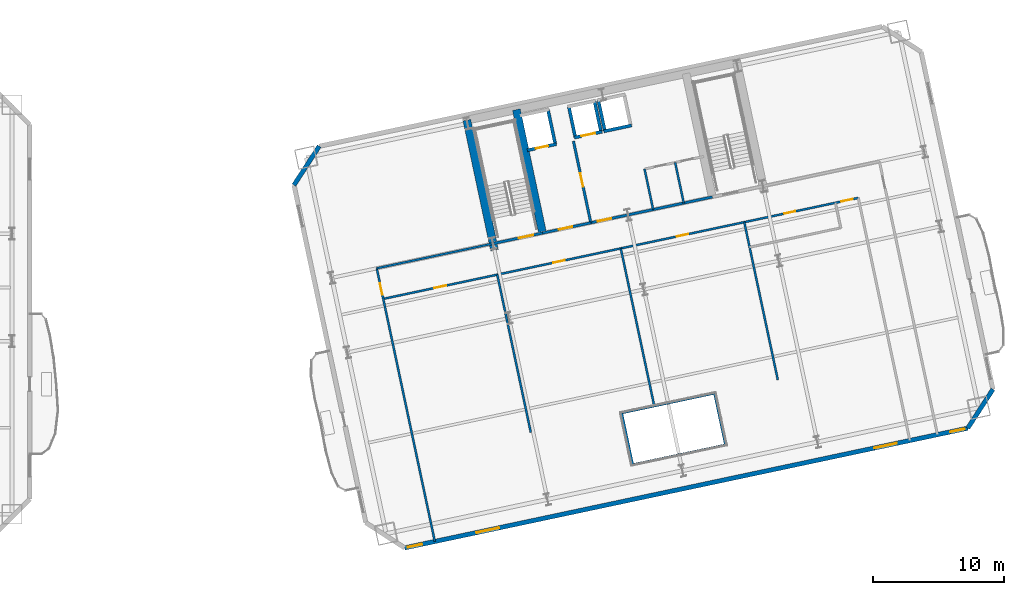
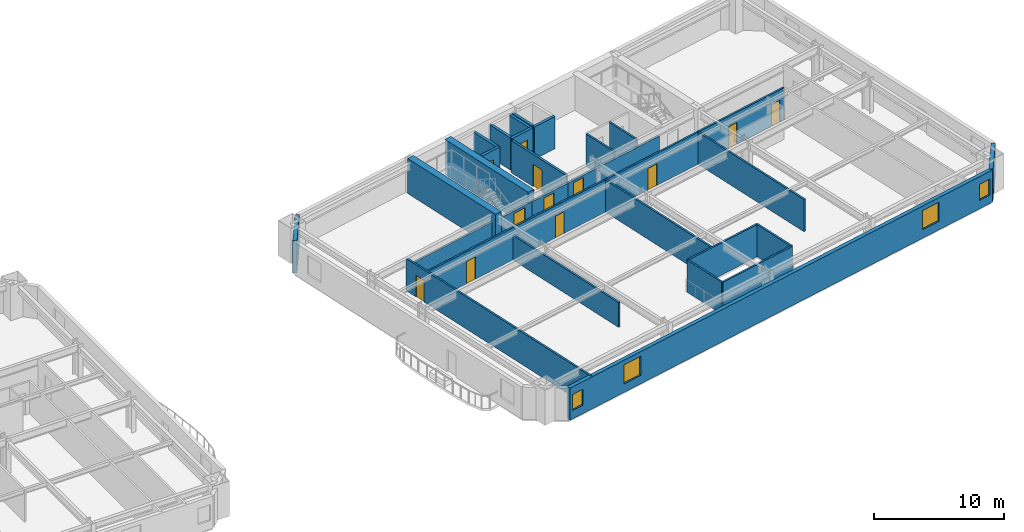
# One storey, part 8 of 15: 28 walls, 12 doors, 4 windows, 16 openings.
"""IFC4 building model written with IfcOpenShell, lengths in metres."""

from ifc_helpers import new_model, si_unit, direction, frame, frame_2d, origin, place, context, subcontext, project, spatial, rectangle, extrude, material, layer, layer_set, type_object, element, fill, save


model = new_model("IFC4")

# Units and contexts
model_context = context("Model", 3, precision=1e-05, world=origin(), true_north=direction((0.0, 1.0)))
body_context = subcontext(model_context, "Body", "Model", "MODEL_VIEW")
ifc_project = project(units=[si_unit("LENGTHUNIT", "METRE"), si_unit("AREAUNIT", "SQUARE_METRE"), si_unit("VOLUMEUNIT", "CUBIC_METRE"), si_unit("PLANEANGLEUNIT", "RADIAN"), si_unit("MASSUNIT", "GRAM", prefix="KILO")], contexts=[model_context])

# Site, building, storey
site_placement = place(None, origin())
site = spatial("IfcSite", under=ifc_project, at=site_placement, CompositionType="ELEMENT")
building_placement = place(site_placement, origin())
building = spatial("IfcBuilding", under=site, at=building_placement, Name="Haevon Station Towers", CompositionType="ELEMENT")
storey_placement = place(building_placement, frame((0.0, 0.0, 63.60009765625)))
storey = spatial("IfcBuildingStorey", under=building, at=storey_placement, Name="L16", CompositionType="ELEMENT", Elevation=63.60009765625)

# Wall, opening, door
ifc_material_1 = material(Name="Gypsum board on steel stud", Category="steel")
ifc_layer_1 = layer(ifc_material_1, 0.199951171875)
ifc_layer_set_1 = layer_set([ifc_layer_1], Name="Gypsum board on steel stud")
wall_type_1 = type_object("IfcWallType", Name="WL-COR200", PredefinedType="PARTITIONING", material=ifc_layer_set_1)
wall_1_placement = place(storey_placement, frame((98.75244140625, 37.4423828125, 0.0), z_axis=(0.0, 0.0, 1.0), x_axis=(0.978143537786, 0.207930804564, 0.0)))
wall_1 = element("IfcWall", 1, at=wall_1_placement, inside=storey, type_object=wall_type_1, Name="WL-ST-ST3-L16", PredefinedType="PARTITIONING", context=body_context, shape_type="SweptSolid", body=[
    extrude(rectangle(XDim=3.85009765625, YDim=0.199951171875, at=frame_2d((1.925048828125, 0.0))), origin(), (0.0, 0.0, 1.0), 2.329833984375),
])
opening_1_placement = place(wall_1_placement, frame((2.0, 0.0, 0.0)))
opening_1 = element("IfcOpeningElement", 2, at=opening_1_placement, cuts=wall_1, Name="Opening DR-ST-ST3-L16", PredefinedType="OPENING", context=body_context, shape_type="SweptSolid", body=[
    extrude(rectangle(XDim=1.1201171875, YDim=2.10009765625, at=frame_2d((0.56005859375, 1.050048828125))), frame((0.0, 0.10986328125, 0.0), z_axis=(0.0, -1.0, 0.0), x_axis=(1.0, 0.0, 0.0)), (0.0, 0.0, 1.0), 0.219970703125),
])
ifc_material_2 = material(Name="Engineered oak timber", Category="wood")
door_type_1 = type_object("IfcDoorType", Name="DR-ST-1120", OperationType="NOTDEFINED", PredefinedType="DOOR", material=ifc_material_2)
door_1_placement = place(opening_1_placement, origin())
door_1 = element("IfcDoor", 3, at=door_1_placement, inside=storey, type_object=door_type_1, Name="L16 Escape Stair ST3 Fire Door", OperationType="SINGLE_SWING_RIGHT", OverallHeight=2.10009765625, OverallWidth=1.1201171875, PredefinedType="DOOR", context=body_context, shape_type="SweptSolid", body=[
    extrude(rectangle(XDim=1.1201171875, YDim=2.10009765625, at=frame_2d((0.56005859375, 1.050048828125))), frame((0.0, 0.02490234375, 0.0), z_axis=(0.0, -1.0, 0.0), x_axis=(1.0, 0.0, 0.0)), (0.0, 0.0, 1.0), 0.050048828125),
])
fill(opening_1, door_1)

wall_2_placement = place(storey_placement, frame((106.186279296875, 39.0224609375, 0.0), z_axis=(0.0, 0.0, 1.0), x_axis=(-0.207916691923, 0.978146537703, 0.0)))
wall_2 = element("IfcWall", 4, at=wall_2_placement, inside=storey, type_object=wall_type_1, Name="WL-T2FFL-L16-E", PredefinedType="PARTITIONING", context=body_context, shape_type="SweptSolid", body=[
    extrude(rectangle(XDim=6.35009765625, YDim=0.199951171875, at=frame_2d((3.175048828125, 0.0))), origin(), (0.0, 0.0, 1.0), 3.02978515625),
])
opening_2_placement = place(wall_2_placement, frame((2.800048828125, 0.0, 0.0)))
opening_2 = element("IfcOpeningElement", 5, at=opening_2_placement, cuts=wall_2, Name="Opening DR-T2FFL-L16-E", PredefinedType="OPENING", context=body_context, shape_type="SweptSolid", body=[
    extrude(rectangle(XDim=1.050048828125, YDim=2.10009765625, at=frame_2d((0.52490234375, 1.050048828125))), frame((0.0, 0.10986328125, 0.0), z_axis=(0.0, -1.0, 0.0), x_axis=(1.0, 0.0, 0.0)), (0.0, 0.0, 1.0), 0.219970703125),
])
door_type_2 = type_object("IfcDoorType", Name="DR-FD60-1050", OperationType="NOTDEFINED", PredefinedType="DOOR", material=ifc_material_2)
door_2_placement = place(opening_2_placement, origin())
door_2 = element("IfcDoor", 6, at=door_2_placement, inside=storey, type_object=door_type_2, Name="L16 Tower 2 Firefighting Lift Lobby Door E", OperationType="SINGLE_SWING_RIGHT", OverallHeight=2.10009765625, OverallWidth=1.050048828125, PredefinedType="DOOR", context=body_context, shape_type="SweptSolid", body=[
    extrude(rectangle(XDim=1.050048828125, YDim=2.10009765625, at=frame_2d((0.52490234375, 1.050048828125))), frame((0.0, 0.02490234375, 0.0), z_axis=(0.0, -1.0, 0.0), x_axis=(1.0, 0.0, 0.0)), (0.0, 0.0, 1.0), 0.050048828125),
])
fill(opening_2, door_2)

wall_3_placement = place(storey_placement, frame((102.518310546875, 38.242919921875, 0.0), z_axis=(0.0, 0.0, 1.0), x_axis=(0.978153555683, 0.20788367301, 0.0)))
wall_3 = element("IfcWall", 7, at=wall_3_placement, inside=storey, type_object=wall_type_1, Name="WL-T2FFL-L16-S", PredefinedType="PARTITIONING", context=body_context, shape_type="SweptSolid", body=[
    extrude(rectangle(XDim=3.75, YDim=0.199951171875, at=frame_2d((1.875, 0.0))), origin(), (0.0, 0.0, 1.0), 2.329833984375),
])
opening_3_placement = place(wall_3_placement, frame((1.25, 0.0, 0.0)))
opening_3 = element("IfcOpeningElement", 8, at=opening_3_placement, cuts=wall_3, Name="Opening DR-T2FFL-L16-S", PredefinedType="OPENING", context=body_context, shape_type="SweptSolid", body=[
    extrude(rectangle(XDim=1.050048828125, YDim=2.10009765625, at=frame_2d((0.52490234375, 1.050048828125))), frame((0.0, 0.10986328125, 0.0), z_axis=(0.0, -1.0, 0.0), x_axis=(1.0, 0.0, 0.0)), (0.0, 0.0, 1.0), 0.219970703125),
])
door_3_placement = place(opening_3_placement, origin())
door_3 = element("IfcDoor", 9, at=door_3_placement, inside=storey, type_object=door_type_2, Name="L16 Tower 2 Firefighting Lift Lobby Door S", OperationType="SINGLE_SWING_LEFT", OverallHeight=2.10009765625, OverallWidth=1.050048828125, PredefinedType="DOOR", context=body_context, shape_type="SweptSolid", body=[
    extrude(rectangle(XDim=1.050048828125, YDim=2.10009765625, at=frame_2d((0.52490234375, 1.050048828125))), frame((0.0, 0.02490234375, 0.0), z_axis=(0.0, -1.0, 0.0), x_axis=(1.0, 0.0, 0.0)), (0.0, 0.0, 1.0), 0.050048828125),
])
fill(opening_3, door_3)

wall_4_placement = place(storey_placement, frame((106.186279296875, 39.0224609375, 0.0), z_axis=(0.0, 0.0, 1.0), x_axis=(0.978145519981, 0.20792147975, 0.0)))
wall_4 = element("IfcWall", 10, at=wall_4_placement, inside=storey, type_object=wall_type_1, Name="WL-T2CLB-L16", PredefinedType="PARTITIONING", context=body_context, shape_type="SweptSolid", body=[
    extrude(rectangle(XDim=9.449951171875, YDim=0.199951171875, at=frame_2d((4.72509765625, 0.0))), origin(), (0.0, 0.0, 1.0), 2.329833984375),
])
opening_4_placement = place(wall_4_placement, frame((0.550048828125, 0.0, 0.0)))
opening_4 = element("IfcOpeningElement", 11, at=opening_4_placement, cuts=wall_4, Name="Opening DR-T2CLB-L16-1", PredefinedType="OPENING", context=body_context, shape_type="SweptSolid", body=[
    extrude(rectangle(XDim=1.050048828125, YDim=2.10009765625, at=frame_2d((0.52490234375, 1.050048828125))), frame((0.0, 0.10986328125, 0.0), z_axis=(0.0, -1.0, 0.0), x_axis=(1.0, 0.0, 0.0)), (0.0, 0.0, 1.0), 0.219970703125),
])
door_4_placement = place(opening_4_placement, origin())
door_4 = element("IfcDoor", 12, at=door_4_placement, inside=storey, type_object=door_type_2, Name="L16 Tower 2 Core Lift Lobby Door 1", OperationType="SINGLE_SWING_RIGHT", OverallHeight=2.10009765625, OverallWidth=1.050048828125, PredefinedType="DOOR", context=body_context, shape_type="SweptSolid", body=[
    extrude(rectangle(XDim=1.050048828125, YDim=2.10009765625, at=frame_2d((0.52490234375, 1.050048828125))), frame((0.0, 0.02490234375, 0.0), z_axis=(0.0, -1.0, 0.0), x_axis=(1.0, 0.0, 0.0)), (0.0, 0.0, 1.0), 0.050048828125),
])
fill(opening_4, door_4)

# Walls
ifc_material_3 = material(Name="Concrete C60/75", Category="concrete")
ifc_layer_2 = layer(ifc_material_3, 0.60009765625)
ifc_layer_set_2 = layer_set([ifc_layer_2], Name="Concrete C60/75")
wall_type_2 = type_object("IfcWallType", Name="WL-CR600", PredefinedType="SHEAR", material=ifc_layer_set_2)
wall_5_placement = place(storey_placement, frame((98.8603515625, 36.933837890625, 0.0), z_axis=(0.0, 0.0, 1.0), x_axis=(-0.20790924889, 0.978148119778, 0.0)))
element("IfcWall", 13, at=wall_5_placement, inside=storey, type_object=wall_type_2, Name="WL-T2CR-L16-W", PredefinedType="SHEAR", context=body_context, shape_type="SweptSolid", body=[
    extrude(rectangle(XDim=10.119873046875, YDim=0.60009765625, at=frame_2d((5.06005859375, 0.0))), origin(), (0.0, 0.0, 1.0), 3.2998046875),
])
wall_6_placement = place(storey_placement, frame((102.518310546875, 38.242919921875, 0.0), z_axis=(0.0, 0.0, 1.0), x_axis=(-0.207927495108, 0.978144241295, 0.0)))
element("IfcWall", 14, at=wall_6_placement, inside=storey, type_object=wall_type_2, Name="WL-T2CR-L16-M1", PredefinedType="SHEAR", context=body_context, shape_type="SweptSolid", body=[
    extrude(rectangle(XDim=9.599853515625, YDim=0.60009765625, at=frame_2d((4.7998046875, 0.0))), origin(), (0.0, 0.0, 1.0), 3.2998046875),
])

# Wall, openings, windows
ifc_material_4 = material(Name="Precast concrete C45/55", Category="concrete")
ifc_layer_3 = layer(ifc_material_4, 0.340087890625)
ifc_layer_set_3 = layer_set([ifc_layer_3], Name="Precast concrete C45/55")
wall_type_3 = type_object("IfcWallType", Name="WL-EXT-PIER340", PredefinedType="SOLIDWALL", material=ifc_layer_set_3)
wall_7_placement = place(storey_placement, frame((134.862548828125, 23.39306640625, 0.0), z_axis=(0.0, 0.0, 1.0), x_axis=(-0.978148154167, -0.207909087104, 0.0)))
wall_7 = element("IfcWall", 15, at=wall_7_placement, inside=storey, type_object=wall_type_3, Name="WL-T2-L16-S", PredefinedType="SOLIDWALL", context=body_context, shape_type="SweptSolid", body=[
    extrude(rectangle(XDim=43.800048828125, YDim=0.340087890625, at=frame_2d((21.89990234375, 0.0))), origin(), (0.0, 0.0, 1.0), 3.02978515625),
])
opening_5_placement = place(wall_7_placement, frame((42.449951171875, 0.0, 0.800048828125)))
opening_5 = element("IfcOpeningElement", 16, at=opening_5_placement, cuts=wall_7, Name="Opening WN-COR110", PredefinedType="OPENING", context=body_context, shape_type="SweptSolid", body=[
    extrude(rectangle(XDim=1.10009765625, YDim=1.5, at=frame_2d((0.550048828125, 0.75))), frame((0.0, 0.179931640625, 0.0), z_axis=(0.0, -1.0, 0.0), x_axis=(1.0, 0.0, 0.0)), (0.0, 0.0, 1.0), 0.360107421875),
])
opening_6_placement = place(wall_7_placement, frame((0.25, 0.0, 0.800048828125)))
opening_6 = element("IfcOpeningElement", 17, at=opening_6_placement, cuts=wall_7, Name="Opening WN-COR110", PredefinedType="OPENING", context=body_context, shape_type="SweptSolid", body=[
    extrude(rectangle(XDim=1.10009765625, YDim=1.5, at=frame_2d((0.550048828125, 0.75))), frame((0.0, 0.179931640625, 0.0), z_axis=(0.0, -1.0, 0.0), x_axis=(1.0, 0.0, 0.0)), (0.0, 0.0, 1.0), 0.360107421875),
])
opening_7_placement = place(wall_7_placement, frame((36.458984375, 0.0, 0.800048828125)))
opening_7 = element("IfcOpeningElement", 18, at=opening_7_placement, cuts=wall_7, Name="Opening WN-P175", PredefinedType="OPENING", context=body_context, shape_type="SweptSolid", body=[
    extrude(rectangle(XDim=1.75, YDim=1.800048828125, at=frame_2d((0.875, 0.89990234375))), frame((0.0, 0.179931640625, 0.0), z_axis=(0.0, -1.0, 0.0), x_axis=(1.0, 0.0, 0.0)), (0.0, 0.0, 1.0), 0.360107421875),
])
opening_8_placement = place(wall_7_placement, frame((5.515869140625, 0.0, 0.800048828125)))
opening_8 = element("IfcOpeningElement", 19, at=opening_8_placement, cuts=wall_7, Name="Opening WN-P175", PredefinedType="OPENING", context=body_context, shape_type="SweptSolid", body=[
    extrude(rectangle(XDim=1.75, YDim=1.800048828125, at=frame_2d((0.875, 0.89990234375))), frame((0.0, 0.179931640625, 0.0), z_axis=(0.0, -1.0, 0.0), x_axis=(1.0, 0.0, 0.0)), (0.0, 0.0, 1.0), 0.360107421875),
])
ifc_material_5 = material(Name="Low-E triple glazing in thermally broken aluminium", Category="aluminium")
window_type_1 = type_object("IfcWindowType", Name="WN-COR110", PartitioningType="SINGLE_PANEL", PredefinedType="WINDOW", material=ifc_material_5)
window_1_placement = place(opening_5_placement, origin())
window_1 = element("IfcWindow", 20, at=window_1_placement, inside=storey, type_object=window_type_1, Name="WN-T2-L16-S01", OverallHeight=1.5, OverallWidth=1.10009765625, PartitioningType="SINGLE_PANEL", PredefinedType="WINDOW", context=body_context, shape_type="SweptSolid", body=[
    extrude(rectangle(XDim=1.10009765625, YDim=1.5, at=frame_2d((0.550048828125, 0.75))), frame((0.0, 0.030029296875, 0.0), z_axis=(0.0, -1.0, 0.0), x_axis=(1.0, 0.0, 0.0)), (0.0, 0.0, 1.0), 0.06005859375),
])
fill(opening_5, window_1)
window_2_placement = place(opening_6_placement, origin())
window_2 = element("IfcWindow", 21, at=window_2_placement, inside=storey, type_object=window_type_1, Name="WN-T2-L16-S02", OverallHeight=1.5, OverallWidth=1.10009765625, PartitioningType="SINGLE_PANEL", PredefinedType="WINDOW", context=body_context, shape_type="SweptSolid", body=[
    extrude(rectangle(XDim=1.10009765625, YDim=1.5, at=frame_2d((0.550048828125, 0.75))), frame((0.0, 0.030029296875, 0.0), z_axis=(0.0, -1.0, 0.0), x_axis=(1.0, 0.0, 0.0)), (0.0, 0.0, 1.0), 0.06005859375),
])
fill(opening_6, window_2)
window_type_2 = type_object("IfcWindowType", Name="WN-P175", PartitioningType="SINGLE_PANEL", PredefinedType="WINDOW", material=ifc_material_5)
window_3_placement = place(opening_7_placement, origin())
window_3 = element("IfcWindow", 22, at=window_3_placement, inside=storey, type_object=window_type_2, Name="WN-T2-L16-S03", OverallHeight=1.800048828125, OverallWidth=1.75, PartitioningType="SINGLE_PANEL", PredefinedType="WINDOW", context=body_context, shape_type="SweptSolid", body=[
    extrude(rectangle(XDim=1.75, YDim=1.800048828125, at=frame_2d((0.875, 0.89990234375))), frame((0.0, 0.030029296875, 0.0), z_axis=(0.0, -1.0, 0.0), x_axis=(1.0, 0.0, 0.0)), (0.0, 0.0, 1.0), 0.06005859375),
])
fill(opening_7, window_3)
window_4_placement = place(opening_8_placement, origin())
window_4 = element("IfcWindow", 23, at=window_4_placement, inside=storey, type_object=window_type_2, Name="WN-T2-L16-S04", OverallHeight=1.800048828125, OverallWidth=1.75, PartitioningType="SINGLE_PANEL", PredefinedType="WINDOW", context=body_context, shape_type="SweptSolid", body=[
    extrude(rectangle(XDim=1.75, YDim=1.800048828125, at=frame_2d((0.875, 0.89990234375))), frame((0.0, 0.030029296875, 0.0), z_axis=(0.0, -1.0, 0.0), x_axis=(1.0, 0.0, 0.0)), (0.0, 0.0, 1.0), 0.06005859375),
])
fill(opening_8, window_4)

# Walls
wall_8_placement = place(storey_placement, frame((83.5966796875, 41.888427734375, 0.0), z_axis=(0.0, 0.0, 1.0), x_axis=(0.544653380146, 0.838661251934, 0.0)))
element("IfcWall", 24, at=wall_8_placement, inside=storey, type_object=wall_type_3, Name="WL-T2-L16-NWC", PredefinedType="SOLIDWALL", context=body_context, shape_type="SweptSolid", body=[
    extrude(rectangle(XDim=3.535888671875, YDim=0.340087890625, at=frame_2d((1.76806640625, 0.0))), origin(), (0.0, 0.0, 1.0), 3.02978515625),
])
wall_9_placement = place(storey_placement, frame((136.7880859375, 26.358154296875, 0.0), z_axis=(0.0, 0.0, 1.0), x_axis=(-0.544636352948, -0.838672309694, 0.0)))
element("IfcWall", 25, at=wall_9_placement, inside=storey, type_object=wall_type_3, Name="WL-T2-L16-SEC", PredefinedType="SOLIDWALL", context=body_context, shape_type="SweptSolid", body=[
    extrude(rectangle(XDim=3.535400390625, YDim=0.340087890625, at=frame_2d((1.767578125, 0.0))), origin(), (0.0, 0.0, 1.0), 3.02978515625),
])
ifc_layer_4 = layer(ifc_material_1, 0.159912109375)
ifc_layer_set_4 = layer_set([ifc_layer_4], Name="Gypsum board on steel stud")
wall_type_4 = type_object("IfcWallType", Name="WL-PRT160", PredefinedType="PARTITIONING", material=ifc_layer_set_4)
wall_10_placement = place(storey_placement, frame((110.93017578125, 40.031005859375, 0.0), z_axis=(0.0, 0.0, 1.0), x_axis=(-0.207877295669, 0.978154911016, 0.0)))
element("IfcWall", 26, at=wall_10_placement, inside=storey, type_object=wall_type_4, Name="WL-T2CW-L16-01", PredefinedType="PARTITIONING", context=body_context, shape_type="SweptSolid", body=[
    extrude(rectangle(XDim=3.14990234375, YDim=0.159912109375, at=frame_2d((1.574951171875, 0.0))), origin(), (0.0, 0.0, 1.0), 3.02978515625),
])
wall_11_placement = place(storey_placement, frame((113.25830078125, 40.525634765625, 0.0), z_axis=(0.0, 0.0, 1.0), x_axis=(-0.207935688634, 0.978142499533, 0.0)))
element("IfcWall", 27, at=wall_11_placement, inside=storey, type_object=wall_type_4, Name="WL-T2CW-L16-02", PredefinedType="PARTITIONING", context=body_context, shape_type="SweptSolid", body=[
    extrude(rectangle(XDim=3.150146484375, YDim=0.159912109375, at=frame_2d((1.5751953125, 0.0))), origin(), (0.0, 0.0, 1.0), 3.02978515625),
])
wall_12_placement = place(storey_placement, frame((89.900146484375, 35.560791015625, 0.0), z_axis=(0.0, 0.0, 1.0), x_axis=(0.978148085545, 0.207909409948, 0.0)))
element("IfcWall", 28, at=wall_12_placement, inside=storey, type_object=wall_type_4, Name="WL-T2PT-L16-02", PredefinedType="PARTITIONING", context=body_context, shape_type="SweptSolid", body=[
    extrude(rectangle(XDim=9.050048828125, YDim=0.159912109375, at=frame_2d((4.52490234375, 0.0))), origin(), (0.0, 0.0, 1.0), 2.329833984375),
])

# Wall, opening, door
wall_13_placement = place(storey_placement, frame((94.318359375, 14.775146484375, 0.0), z_axis=(0.0, 0.0, 1.0), x_axis=(-0.207915642033, 0.978146760869, 0.0)))
wall_13 = element("IfcWall", 29, at=wall_13_placement, inside=storey, type_object=wall_type_4, Name="WL-T2PT-L16-04", PredefinedType="PARTITIONING", context=body_context, shape_type="SweptSolid", body=[
    extrude(rectangle(XDim=21.25, YDim=0.159912109375, at=frame_2d((10.625, 0.0))), origin(), (0.0, 0.0, 1.0), 3.02978515625),
])
opening_9_placement = place(wall_13_placement, frame((19.18994140625, 0.0, 0.0)))
opening_9 = element("IfcOpeningElement", 30, at=opening_9_placement, cuts=wall_13, Name="Opening DR-WL-T2PT-L16-04-01", PredefinedType="OPENING", context=body_context, shape_type="SweptSolid", body=[
    extrude(rectangle(XDim=0.89990234375, YDim=2.050048828125, at=frame_2d((0.449951171875, 1.02490234375))), frame((0.0, 0.08984375, 0.0), z_axis=(0.0, -1.0, 0.0), x_axis=(1.0, 0.0, 0.0)), (0.0, 0.0, 1.0), 0.179931640625),
])
door_type_3 = type_object("IfcDoorType", Name="DR-INT-900", OperationType="NOTDEFINED", PredefinedType="DOOR", material=ifc_material_2)
door_5_placement = place(opening_9_placement, origin())
door_5 = element("IfcDoor", 31, at=door_5_placement, inside=storey, type_object=door_type_3, Name="L16 Tower 2 Room Door 4-1", OperationType="SINGLE_SWING_LEFT", OverallHeight=2.050048828125, OverallWidth=0.89990234375, PredefinedType="DOOR", context=body_context, shape_type="SweptSolid", body=[
    extrude(rectangle(XDim=0.89990234375, YDim=2.050048828125, at=frame_2d((0.449951171875, 1.02490234375))), frame((0.0, 0.02490234375, 0.0), z_axis=(0.0, -1.0, 0.0), x_axis=(1.0, 0.0, 0.0)), (0.0, 0.0, 1.0), 0.050048828125),
])
fill(opening_9, door_5)

# Walls
for number, where, z_axis, x_axis, name in (
    (32, (109.379150390625, 20.634521484375, 0.0), (0.0, 0.0, 1.0), (0.978144974276, 0.207924046946, 0.0), "WL-T2PT-L16-06"),
    (33, (108.54736328125, 24.547119140625, 0.0), (0.0, 0.0, 1.0), (0.978144974276, 0.207924046946, 0.0), "WL-T2PT-L16-07"),
):
    element("IfcWall", number, at=place(storey_placement, frame(where, z_axis=z_axis, x_axis=x_axis)), inside=storey, type_object=wall_type_4, Name=name, PredefinedType="PARTITIONING", context=body_context, shape_type="SweptSolid", body=[
        extrude(rectangle(XDim=7.2001953125, YDim=0.159912109375, at=frame_2d((3.60009765625, 0.0))), origin(), (0.0, 0.0, 1.0), 3.02978515625),
    ])
for number, where, z_axis, x_axis, name in (
    (34, (109.379150390625, 20.634521484375, 0.0), (0.0, 0.0, 1.0), (-0.207944891454, 0.978140543132, 0.0), "WL-T2PT-L16-08"),
    (35, (116.421875, 22.131591796875, 0.0), (0.0, 0.0, 1.0), (-0.207944891454, 0.978140543132, 0.0), "WL-T2PT-L16-09"),
):
    element("IfcWall", number, at=place(storey_placement, frame(where, z_axis=z_axis, x_axis=x_axis)), inside=storey, type_object=wall_type_4, Name=name, PredefinedType="PARTITIONING", context=body_context, shape_type="SweptSolid", body=[
        extrude(rectangle(XDim=4.0, YDim=0.159912109375, at=frame_2d((2.0, 0.0))), origin(), (0.0, 0.0, 1.0), 3.02978515625),
    ])
wall_14_placement = place(storey_placement, frame((101.6201171875, 23.07470703125, 0.0), z_axis=(0.0, 0.0, 1.0), x_axis=(-0.207906349531, 0.978148736044, 0.0)))
element("IfcWall", 36, at=wall_14_placement, inside=storey, type_object=wall_type_4, Name="WL-T2PT-L16-10", PredefinedType="PARTITIONING", context=body_context, shape_type="SweptSolid", body=[
    extrude(rectangle(XDim=12.27001953125, YDim=0.159912109375, at=frame_2d((6.135009765625, 0.0))), origin(), (0.0, 0.0, 1.0), 2.329833984375),
])
wall_15_placement = place(storey_placement, frame((111.017333984375, 25.072021484375, 0.0), z_axis=(0.0, 0.0, 1.0), x_axis=(-0.207906349531, 0.978148736044, 0.0)))
element("IfcWall", 37, at=wall_15_placement, inside=storey, type_object=wall_type_4, Name="WL-T2PT-L16-11", PredefinedType="PARTITIONING", context=body_context, shape_type="SweptSolid", body=[
    extrude(rectangle(XDim=12.27001953125, YDim=0.159912109375, at=frame_2d((6.135009765625, 0.0))), origin(), (0.0, 0.0, 1.0), 3.02978515625),
])
wall_16_placement = place(storey_placement, frame((120.414306640625, 27.069580078125, 0.0), z_axis=(0.0, 0.0, 1.0), x_axis=(-0.207910395978, 0.97814787596, 0.0)))
element("IfcWall", 38, at=wall_16_placement, inside=storey, type_object=wall_type_4, Name="WL-T2PT-L16-13", PredefinedType="PARTITIONING", context=body_context, shape_type="SweptSolid", body=[
    extrude(rectangle(XDim=12.269775390625, YDim=0.159912109375, at=frame_2d((6.134765625, 0.0))), origin(), (0.0, 0.0, 1.0), 3.02978515625),
])

# Wall, openings, doors
wall_17_placement = place(storey_placement, frame((90.39501953125, 33.23291015625, 0.0), z_axis=(0.0, 0.0, 1.0), x_axis=(0.97814877431, 0.207906169498, 0.0)))
wall_17 = element("IfcWall", 39, at=wall_17_placement, inside=storey, type_object=wall_type_4, Name="WL-T2PT-L16-17", PredefinedType="PARTITIONING", context=body_context, shape_type="SweptSolid", body=[
    extrude(rectangle(XDim=36.949951171875, YDim=0.159912109375, at=frame_2d((18.47509765625, 0.0))), origin(), (0.0, 0.0, 1.0), 3.02978515625),
])
opening_10_placement = place(wall_17_placement, frame((3.958984375, 0.0, 0.0)))
opening_10 = element("IfcOpeningElement", 40, at=opening_10_placement, cuts=wall_17, Name="Opening DR-WL-T2PT-L16-17-01", PredefinedType="OPENING", context=body_context, shape_type="SweptSolid", body=[
    extrude(rectangle(XDim=0.949951171875, YDim=2.10009765625, at=frame_2d((0.47509765625, 1.050048828125))), frame((0.0, 0.08984375, 0.0), z_axis=(0.0, -1.0, 0.0), x_axis=(1.0, 0.0, 0.0)), (0.0, 0.0, 1.0), 0.179931640625),
])
opening_11_placement = place(wall_17_placement, frame((13.221923828125, 0.0, 0.0)))
opening_11 = element("IfcOpeningElement", 41, at=opening_11_placement, cuts=wall_17, Name="Opening DR-WL-T2PT-L16-17-02", PredefinedType="OPENING", context=body_context, shape_type="SweptSolid", body=[
    extrude(rectangle(XDim=0.89990234375, YDim=2.050048828125, at=frame_2d((0.449951171875, 1.02490234375))), frame((0.0, 0.08984375, 0.0), z_axis=(0.0, -1.0, 0.0), x_axis=(1.0, 0.0, 0.0)), (0.0, 0.0, 1.0), 0.179931640625),
])
opening_12_placement = place(wall_17_placement, frame((22.827880859375, 0.0, 0.0)))
opening_12 = element("IfcOpeningElement", 42, at=opening_12_placement, cuts=wall_17, Name="Opening DR-WL-T2PT-L16-17-03", PredefinedType="OPENING", context=body_context, shape_type="SweptSolid", body=[
    extrude(rectangle(XDim=0.89990234375, YDim=2.050048828125, at=frame_2d((0.449951171875, 1.02490234375))), frame((0.0, 0.08984375, 0.0), z_axis=(0.0, -1.0, 0.0), x_axis=(1.0, 0.0, 0.0)), (0.0, 0.0, 1.0), 0.179931640625),
])
opening_13_placement = place(wall_17_placement, frame((31.200927734375, 0.0, 0.0)))
opening_13 = element("IfcOpeningElement", 43, at=opening_13_placement, cuts=wall_17, Name="Opening DR-WL-T2PT-L16-17-04", PredefinedType="OPENING", context=body_context, shape_type="SweptSolid", body=[
    extrude(rectangle(XDim=0.85009765625, YDim=2.050048828125, at=frame_2d((0.425048828125, 1.02490234375))), frame((0.0, 0.08984375, 0.0), z_axis=(0.0, -1.0, 0.0), x_axis=(1.0, 0.0, 0.0)), (0.0, 0.0, 1.0), 0.179931640625),
])
opening_14_placement = place(wall_17_placement, frame((35.610107421875, 0.0, 0.0)))
opening_14 = element("IfcOpeningElement", 44, at=opening_14_placement, cuts=wall_17, Name="Opening DR-WL-T2PT-L16-17-05", PredefinedType="OPENING", context=body_context, shape_type="SweptSolid", body=[
    extrude(rectangle(XDim=0.89990234375, YDim=2.050048828125, at=frame_2d((0.449951171875, 1.02490234375))), frame((0.0, 0.08984375, 0.0), z_axis=(0.0, -1.0, 0.0), x_axis=(1.0, 0.0, 0.0)), (0.0, 0.0, 1.0), 0.179931640625),
])
door_type_4 = type_object("IfcDoorType", Name="DR-FD30-850", OperationType="NOTDEFINED", PredefinedType="DOOR", material=ifc_material_2)
door_6_placement = place(opening_13_placement, origin())
door_6 = element("IfcDoor", 45, at=door_6_placement, inside=storey, type_object=door_type_4, Name="L16 Tower 2 Room Door 17-4", OperationType="SINGLE_SWING_RIGHT", OverallHeight=2.050048828125, OverallWidth=0.85009765625, PredefinedType="DOOR", context=body_context, shape_type="SweptSolid", body=[
    extrude(rectangle(XDim=0.85009765625, YDim=2.050048828125, at=frame_2d((0.425048828125, 1.02490234375))), frame((0.0, 0.02490234375, 0.0), z_axis=(0.0, -1.0, 0.0), x_axis=(1.0, 0.0, 0.0)), (0.0, 0.0, 1.0), 0.050048828125),
])
fill(opening_13, door_6)
door_type_5 = type_object("IfcDoorType", Name="DR-FD30-950", OperationType="NOTDEFINED", PredefinedType="DOOR", material=ifc_material_2)
door_7_placement = place(opening_10_placement, origin())
door_7 = element("IfcDoor", 46, at=door_7_placement, inside=storey, type_object=door_type_5, Name="L16 Tower 2 Room Door 17-1", OperationType="SINGLE_SWING_LEFT", OverallHeight=2.10009765625, OverallWidth=0.949951171875, PredefinedType="DOOR", context=body_context, shape_type="SweptSolid", body=[
    extrude(rectangle(XDim=0.949951171875, YDim=2.10009765625, at=frame_2d((0.47509765625, 1.050048828125))), frame((0.0, 0.02490234375, 0.0), z_axis=(0.0, -1.0, 0.0), x_axis=(1.0, 0.0, 0.0)), (0.0, 0.0, 1.0), 0.050048828125),
])
fill(opening_10, door_7)
door_8_placement = place(opening_11_placement, origin())
door_8 = element("IfcDoor", 47, at=door_8_placement, inside=storey, type_object=door_type_3, Name="L16 Tower 2 Room Door 17-2", OperationType="SINGLE_SWING_RIGHT", OverallHeight=2.050048828125, OverallWidth=0.89990234375, PredefinedType="DOOR", context=body_context, shape_type="SweptSolid", body=[
    extrude(rectangle(XDim=0.89990234375, YDim=2.050048828125, at=frame_2d((0.449951171875, 1.02490234375))), frame((0.0, 0.02490234375, 0.0), z_axis=(0.0, -1.0, 0.0), x_axis=(1.0, 0.0, 0.0)), (0.0, 0.0, 1.0), 0.050048828125),
])
fill(opening_11, door_8)
door_9_placement = place(opening_12_placement, origin())
door_9 = element("IfcDoor", 48, at=door_9_placement, inside=storey, type_object=door_type_3, Name="L16 Tower 2 Room Door 17-3", OperationType="SINGLE_SWING_LEFT", OverallHeight=2.050048828125, OverallWidth=0.89990234375, PredefinedType="DOOR", context=body_context, shape_type="SweptSolid", body=[
    extrude(rectangle(XDim=0.89990234375, YDim=2.050048828125, at=frame_2d((0.449951171875, 1.02490234375))), frame((0.0, 0.02490234375, 0.0), z_axis=(0.0, -1.0, 0.0), x_axis=(1.0, 0.0, 0.0)), (0.0, 0.0, 1.0), 0.050048828125),
])
fill(opening_12, door_9)
door_10_placement = place(opening_14_placement, origin())
door_10 = element("IfcDoor", 49, at=door_10_placement, inside=storey, type_object=door_type_3, Name="L16 Tower 2 Room Door 17-5", OperationType="SINGLE_SWING_LEFT", OverallHeight=2.050048828125, OverallWidth=0.89990234375, PredefinedType="DOOR", context=body_context, shape_type="SweptSolid", body=[
    extrude(rectangle(XDim=0.89990234375, YDim=2.050048828125, at=frame_2d((0.449951171875, 1.02490234375))), frame((0.0, 0.02490234375, 0.0), z_axis=(0.0, -1.0, 0.0), x_axis=(1.0, 0.0, 0.0)), (0.0, 0.0, 1.0), 0.050048828125),
])
fill(opening_14, door_10)

# Wall, opening, door
ifc_material_6 = material(Name="Concrete C40/50", Category="concrete")
ifc_layer_5 = layer(ifc_material_6, 0.239990234375)
ifc_layer_set_5 = layer_set([ifc_layer_5], Name="Concrete C40/50")
wall_type_5 = type_object("IfcWallType", Name="WL-SHF240", PredefinedType="PARTITIONING", material=ifc_layer_set_5)
wall_18_placement = place(storey_placement, frame((101.353759765625, 44.538330078125, 0.0), z_axis=(0.0, 0.0, 1.0), x_axis=(0.978141002414, 0.207942731049, 0.0)))
wall_18 = element("IfcWall", 50, at=wall_18_placement, inside=storey, type_object=wall_type_5, Name="WL-SHF-FL2-L16", PredefinedType="PARTITIONING", context=body_context, shape_type="SweptSolid", body=[
    extrude(rectangle(XDim=2.260009765625, YDim=0.239990234375, at=frame_2d((1.1298828125, 0.0))), origin(), (0.0, 0.0, 1.0), 3.02978515625),
])
opening_15_placement = place(wall_18_placement, frame((0.655029296875, 0.0, 0.0)))
opening_15 = element("IfcOpeningElement", 51, at=opening_15_placement, cuts=wall_18, Name="Opening LD-FL2-L16", PredefinedType="OPENING", context=body_context, shape_type="SweptSolid", body=[
    extrude(rectangle(XDim=0.949951171875, YDim=2.14990234375, at=frame_2d((0.47509765625, 1.074951171875))), frame((0.0, 0.1298828125, 0.0), z_axis=(0.0, -1.0, 0.0), x_axis=(1.0, 0.0, 0.0)), (0.0, 0.0, 1.0), 0.260009765625),
])
ifc_material_7 = material(Name="Stainless steel and rated core", Category="steel")
door_type_6 = type_object("IfcDoorType", Name="LD-FL950", OperationType="SLIDING_TO_LEFT", PredefinedType="DOOR", material=ifc_material_7)
door_11_placement = place(opening_15_placement, origin())
door_11 = element("IfcDoor", 52, at=door_11_placement, inside=storey, type_object=door_type_6, Name="L16 Lift FL2 Sliding Landing Door", OperationType="SLIDING_TO_LEFT", OverallHeight=2.14990234375, OverallWidth=0.949951171875, PredefinedType="DOOR", context=body_context, shape_type="SweptSolid", body=[
    extrude(rectangle(XDim=0.949951171875, YDim=2.14990234375, at=frame_2d((0.47509765625, 1.074951171875))), frame((0.0, 0.02490234375, 0.0), z_axis=(0.0, -1.0, 0.0), x_axis=(1.0, 0.0, 0.0)), (0.0, 0.0, 1.0), 0.050048828125),
])
fill(opening_15, door_11)

# Wall
wall_19_placement = place(storey_placement, frame((103.486328125, 44.99169921875, 0.0), z_axis=(0.0, 0.0, 1.0), x_axis=(-0.207978798957, 0.978133334052, 0.0)))
element("IfcWall", 53, at=wall_19_placement, inside=storey, type_object=wall_type_5, Name="WL-SHF-FL2-L16-E", PredefinedType="PARTITIONING", context=body_context, shape_type="SweptSolid", body=[
    extrude(rectangle(XDim=2.699951171875, YDim=0.239990234375, at=frame_2d((1.35009765625, 0.0))), origin(), (0.0, 0.0, 1.0), 3.02978515625),
])

# Wall, opening, door
wall_20_placement = place(storey_placement, frame((104.931396484375, 45.503173828125, 0.0), z_axis=(0.0, 0.0, 1.0), x_axis=(0.97813528961, 0.207969601673, 0.0)))
wall_20 = element("IfcWall", 54, at=wall_20_placement, inside=storey, type_object=wall_type_5, Name="WL-SHF-PL7-L16", PredefinedType="PARTITIONING", context=body_context, shape_type="SweptSolid", body=[
    extrude(rectangle(XDim=2.159912109375, YDim=0.239990234375, at=frame_2d((1.080078125, 0.0))), origin(), (0.0, 0.0, 1.0), 3.02978515625),
])
opening_16_placement = place(wall_20_placement, frame((0.554931640625, 0.0, 0.0)))
opening_16 = element("IfcOpeningElement", 55, at=opening_16_placement, cuts=wall_20, Name="Opening LD-PL7-L16", PredefinedType="OPENING", context=body_context, shape_type="SweptSolid", body=[
    extrude(rectangle(XDim=1.050048828125, YDim=2.14990234375, at=frame_2d((0.52490234375, 1.074951171875))), frame((0.0, 0.1298828125, 0.0), z_axis=(0.0, -1.0, 0.0), x_axis=(1.0, 0.0, 0.0)), (0.0, 0.0, 1.0), 0.260009765625),
])
door_type_7 = type_object("IfcDoorType", Name="LD-PL1050", OperationType="SLIDING_TO_LEFT", PredefinedType="DOOR", material=ifc_material_7)
door_12_placement = place(opening_16_placement, origin())
door_12 = element("IfcDoor", 56, at=door_12_placement, inside=storey, type_object=door_type_7, Name="L16 Lift PL7 Sliding Landing Door", OperationType="SLIDING_TO_LEFT", OverallHeight=2.14990234375, OverallWidth=1.050048828125, PredefinedType="DOOR", context=body_context, shape_type="SweptSolid", body=[
    extrude(rectangle(XDim=1.050048828125, YDim=2.14990234375, at=frame_2d((0.52490234375, 1.074951171875))), frame((0.0, 0.02490234375, 0.0), z_axis=(0.0, -1.0, 0.0), x_axis=(1.0, 0.0, 0.0)), (0.0, 0.0, 1.0), 0.050048828125),
])
fill(opening_16, door_12)

# Walls
wall_21_placement = place(storey_placement, frame((105.009765625, 45.519775390625, 0.0), z_axis=(0.0, 0.0, 1.0), x_axis=(-0.207917150959, 0.978146440129, 0.0)))
element("IfcWall", 57, at=wall_21_placement, inside=storey, type_object=wall_type_5, Name="WL-SHF-PL7-L16-W", PredefinedType="PARTITIONING", context=body_context, shape_type="SweptSolid", body=[
    extrude(rectangle(XDim=2.400146484375, YDim=0.239990234375, at=frame_2d((1.2001953125, 0.0))), origin(), (0.0, 0.0, 1.0), 3.02978515625),
])
wall_22_placement = place(storey_placement, frame((106.966064453125, 45.935791015625, 0.0), z_axis=(0.0, 0.0, 1.0), x_axis=(-0.207937840262, 0.978142042133, 0.0)))
element("IfcWall", 58, at=wall_22_placement, inside=storey, type_object=wall_type_5, Name="WL-SHF-PL7-L16-E", PredefinedType="PARTITIONING", context=body_context, shape_type="SweptSolid", body=[
    extrude(rectangle(XDim=2.39990234375, YDim=0.239990234375, at=frame_2d((1.199951171875, 0.0))), origin(), (0.0, 0.0, 1.0), 3.02978515625),
])
wall_23_placement = place(storey_placement, frame((107.18115234375, 45.9814453125, 0.0), z_axis=(0.0, 0.0, 1.0), x_axis=(0.97813528961, 0.207969601673, 0.0)))
element("IfcWall", 59, at=wall_23_placement, inside=storey, type_object=wall_type_5, Name="WL-SHF-PL8-L16", PredefinedType="PARTITIONING", context=body_context, shape_type="SweptSolid", body=[
    extrude(rectangle(XDim=2.159912109375, YDim=0.239990234375, at=frame_2d((1.080078125, 0.0))), origin(), (0.0, 0.0, 1.0), 3.02978515625),
])
wall_24_placement = place(storey_placement, frame((107.259521484375, 45.998046875, 0.0), z_axis=(0.0, 0.0, 1.0), x_axis=(-0.207917150959, 0.978146440129, 0.0)))
element("IfcWall", 60, at=wall_24_placement, inside=storey, type_object=wall_type_5, Name="WL-SHF-PL8-L16-W", PredefinedType="PARTITIONING", context=body_context, shape_type="SweptSolid", body=[
    extrude(rectangle(XDim=2.400146484375, YDim=0.239990234375, at=frame_2d((1.2001953125, 0.0))), origin(), (0.0, 0.0, 1.0), 3.02978515625),
])

save(model, "model.ifc")
